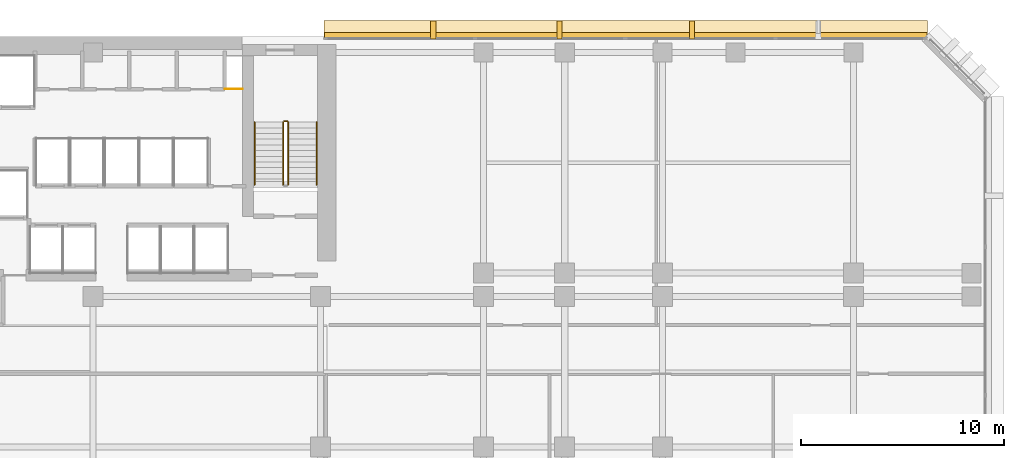
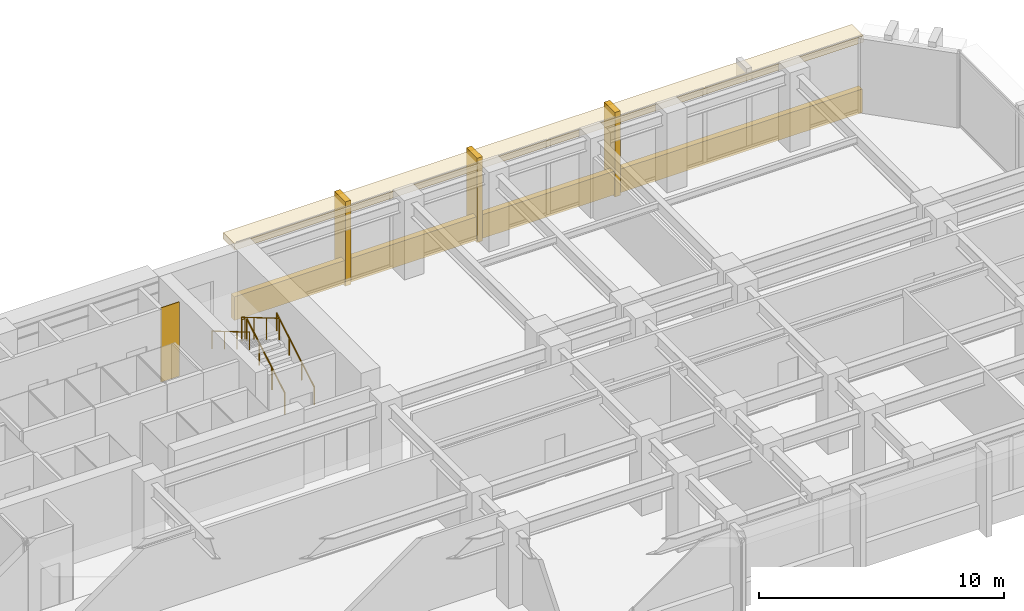
# One storey, part 13 of 14: 6 coverings, 5 railings.
"""IFC4 building model written with IfcOpenShell, lengths in metres."""

from ifc_helpers import new_model, si_unit, direction, frame, origin, origin_2d, place, context, subcontext, project, spatial, polyline, rectangle, circle, outline, extrude, material, layer, layer_set, type_object, element, save


model = new_model("IFC4")

# Units and contexts
model_context = context("Model", 3, precision=1e-05, world=origin(), true_north=direction((0.0, 1.0)))
body_context = subcontext(model_context, "Body", "Model", "MODEL_VIEW")
ifc_project = project(units=[si_unit("LENGTHUNIT", "METRE"), si_unit("AREAUNIT", "SQUARE_METRE"), si_unit("VOLUMEUNIT", "CUBIC_METRE"), si_unit("PLANEANGLEUNIT", "RADIAN"), si_unit("MASSUNIT", "GRAM", prefix="KILO")], contexts=[model_context])

# Site, building, storey
site_placement = place(None, origin())
site = spatial("IfcSite", under=ifc_project, at=site_placement, CompositionType="ELEMENT")
building_placement = place(site_placement, origin())
building = spatial("IfcBuilding", under=site, at=building_placement, Name="Kefirva Bronze Tower", CompositionType="ELEMENT")
storey_placement = place(building_placement, frame((0.0, 0.0, 34.320068359375)))
storey = spatial("IfcBuildingStorey", under=building, at=storey_placement, Name="L07", CompositionType="ELEMENT", Elevation=34.320068359375)

# Coverings
ifc_material_1 = material(Name="Bronze anodised aluminium", Category="aluminium")
ifc_layer_1 = layer(ifc_material_1, 0.02001953125, Name="Bronze anodised aluminium")
ifc_layer_set_1 = layer_set([ifc_layer_1], Name="Bronze anodised aluminium")
covering_type_1 = type_object("IfcCoveringType", Name="Anodised Bronze Spandrel Cladding 20mm", PredefinedType="CLADDING", material=ifc_layer_set_1)
covering_1_placement = place(storey_placement, frame((38.202392578125, 46.0400390625, -0.16015625), z_axis=(0.0, 0.0, 1.0), x_axis=(-1.0, 0.0, 0.0)))
element("IfcCovering", 1, at=covering_1_placement, inside=storey, type_object=covering_type_1, Name="L07 Streamline Horizontal Spandrel Band 8", PredefinedType="CLADDING", context=body_context, shape_type="SweptSolid", body=[
    extrude(rectangle(XDim=29.635009765625, YDim=0.280029296875, at=origin_2d()), origin(), (0.0, 0.0, 1.0), 1.179931640625),
])
covering_2_placement = place(storey_placement, origin())
element("IfcCovering", 2, at=covering_2_placement, inside=storey, type_object=covering_type_1, Name="L07 Core MEP Riser Shaft Liner South", PredefinedType="CLADDING", context=body_context, shape_type="SweptSolid", body=[
    extrude(outline(polyline([(18.47998046875, 43.39990234375), (19.360107421875, 43.39990234375), (19.360107421875, 43.429931640625), (18.47998046875, 43.429931640625), (18.47998046875, 43.39990234375)])), origin(), (0.0, 0.0, 1.0), 3.7099609375),
])

# Railings
ifc_material_2 = material(Name="Stainless steel 316", Category="steel")
railing_type_1 = type_object("IfcRailingType", Name="Interior Stair Guardrail 1100mm", PredefinedType="GUARDRAIL", material=ifc_material_2)
railing_1_placement = place(storey_placement, frame((21.60009765625, 38.699951171875, 0.1650390625)))
element("IfcRailing", 3, at=railing_1_placement, inside=storey, type_object=railing_type_1, Name="L07 ST-2 stair guard 1", PredefinedType="GUARDRAIL", context=body_context, shape_type="SweptSolid", body=[
    extrude(circle(Radius=0.02392578125, at=origin_2d()), frame((0.0, 0.0, 1.076171875), z_axis=(0.0, 0.861551262678, 0.507670583921), x_axis=(-1.0, 0.0, 0.0)), (0.0, 0.0, 1.0), 3.574951171875),
    extrude(circle(Radius=0.02099609375, at=origin_2d()), origin(), (0.0, 0.0, 1.0), 1.052001953125),
    extrude(circle(Radius=0.02099609375, at=origin_2d()), frame((0.0, 1.026611328125, 0.60498046875)), (0.0, 0.0, 1.0), 1.052001953125),
    extrude(circle(Radius=0.02099609375, at=origin_2d()), frame((0.0, 2.053466796875, 1.2099609375)), (0.0, 0.0, 1.0), 1.052001953125),
    extrude(circle(Radius=0.02099609375, at=origin_2d()), frame((0.0, 3.080078125, 1.81494140625)), (0.0, 0.0, 1.0), 1.052001953125),
])
railing_2_placement = place(storey_placement, frame((21.550048828125, 41.830078125, 1.97998046875)))
element("IfcRailing", 4, at=railing_2_placement, inside=storey, type_object=railing_type_1, Name="L07 ST-2 stair guard 2", PredefinedType="GUARDRAIL", context=body_context, shape_type="SweptSolid", body=[
    extrude(circle(Radius=0.02392578125, at=origin_2d()), frame((0.0, 0.0, 1.076171875), z_axis=(-1.0, 0.0, 0.0), x_axis=(0.0, -1.0, 0.0)), (0.0, 0.0, 1.0), 0.150146484375),
    extrude(circle(Radius=0.02099609375, at=origin_2d()), origin(), (0.0, 0.0, 1.0), 1.052001953125),
    extrude(circle(Radius=0.02099609375, at=origin_2d()), frame((-0.150146484375, 0.0, 0.0)), (0.0, 0.0, 1.0), 1.052001953125),
])
railing_3_placement = place(storey_placement, frame((21.35009765625, 41.780029296875, 2.14501953125)))
element("IfcRailing", 5, at=railing_3_placement, inside=storey, type_object=railing_type_1, Name="L07 ST-2 stair guard 3", PredefinedType="GUARDRAIL", context=body_context, shape_type="SweptSolid", body=[
    extrude(circle(Radius=0.02392578125, at=origin_2d()), frame((0.0, 0.0, 1.076171875), z_axis=(0.0, -0.861551262678, 0.507670583921), x_axis=(1.0, 0.0, 0.0)), (0.0, 0.0, 1.0), 3.574951171875),
    extrude(circle(Radius=0.02099609375, at=origin_2d()), origin(), (0.0, 0.0, 1.0), 1.052001953125),
    extrude(circle(Radius=0.02099609375, at=origin_2d()), frame((0.0, -1.026611328125, 0.60498046875)), (0.0, 0.0, 1.0), 1.052001953125),
    extrude(circle(Radius=0.02099609375, at=origin_2d()), frame((0.0, -2.053466796875, 1.2099609375)), (0.0, 0.0, 1.0), 1.052001953125),
    extrude(circle(Radius=0.02099609375, at=origin_2d()), frame((0.0, -3.080078125, 1.81494140625)), (0.0, 0.0, 1.0), 1.052001953125),
])
railing_type_2 = type_object("IfcRailingType", Name="Stair Pitch Handrail 900mm", PredefinedType="HANDRAIL", material=ifc_material_2)
railing_4_placement = place(storey_placement, frame((23.0, 38.699951171875, 0.1650390625)))
element("IfcRailing", 6, at=railing_4_placement, inside=storey, type_object=railing_type_2, Name="L07 ST-2 stair handrail 1", PredefinedType="HANDRAIL", context=body_context, shape_type="SweptSolid", body=[
    extrude(circle(Radius=0.02392578125, at=origin_2d()), frame((0.0, 0.0, 0.8759765625), z_axis=(0.0, 0.861551262678, 0.507670583921), x_axis=(-1.0, 0.0, 0.0)), (0.0, 0.0, 1.0), 3.574951171875),
    extrude(circle(Radius=0.02099609375, at=origin_2d()), origin(), (0.0, 0.0, 1.0), 0.851806640625),
    extrude(circle(Radius=0.02099609375, at=origin_2d()), frame((0.0, 1.026611328125, 0.60498046875)), (0.0, 0.0, 1.0), 0.851806640625),
    extrude(circle(Radius=0.02099609375, at=origin_2d()), frame((0.0, 2.053466796875, 1.2099609375)), (0.0, 0.0, 1.0), 0.851806640625),
    extrude(circle(Radius=0.02099609375, at=origin_2d()), frame((0.0, 3.080078125, 1.81494140625)), (0.0, 0.0, 1.0), 0.851806640625),
])
railing_5_placement = place(storey_placement, frame((19.949951171875, 41.780029296875, 2.14501953125)))
element("IfcRailing", 7, at=railing_5_placement, inside=storey, type_object=railing_type_2, Name="L07 ST-2 stair handrail 2", PredefinedType="HANDRAIL", context=body_context, shape_type="SweptSolid", body=[
    extrude(circle(Radius=0.02392578125, at=origin_2d()), frame((0.0, 0.0, 0.8759765625), z_axis=(0.0, -0.861551262678, 0.507670583921), x_axis=(1.0, 0.0, 0.0)), (0.0, 0.0, 1.0), 3.574951171875),
    extrude(circle(Radius=0.02099609375, at=origin_2d()), origin(), (0.0, 0.0, 1.0), 0.851806640625),
    extrude(circle(Radius=0.02099609375, at=origin_2d()), frame((0.0, -1.026611328125, 0.60498046875)), (0.0, 0.0, 1.0), 0.851806640625),
    extrude(circle(Radius=0.02099609375, at=origin_2d()), frame((0.0, -2.053466796875, 1.2099609375)), (0.0, 0.0, 1.0), 0.851806640625),
    extrude(circle(Radius=0.02099609375, at=origin_2d()), frame((0.0, -3.080078125, 1.81494140625)), (0.0, 0.0, 1.0), 0.851806640625),
])

# Coverings
ifc_layer_2 = layer(ifc_material_1, 0.179931640625, Name="Bronze anodised aluminium")
ifc_layer_set_2 = layer_set([ifc_layer_2], Name="Bronze anodised aluminium")
covering_type_2 = type_object("IfcCoveringType", Name="Streamline Bronze Sunshade Eyebrow Cladding 180mm", PredefinedType="CLADDING", material=ifc_layer_set_2)
covering_3_placement = place(storey_placement, frame((38.202392578125, 46.31005859375, 3.39013671875), z_axis=(0.0, 0.0, 1.0), x_axis=(-1.0, 0.0, 0.0)))
element("IfcCovering", 8, at=covering_3_placement, inside=storey, type_object=covering_type_2, Name="L07 Streamline Bronze Sunshade Eyebrow 8", PredefinedType="CLADDING", context=body_context, shape_type="SweptSolid", body=[
    extrude(rectangle(XDim=29.675048828125, YDim=0.93994140625, at=origin_2d()), origin(), (0.0, 0.0, 1.0), 0.320068359375),
])
ifc_layer_3 = layer(ifc_material_1, 0.260009765625, Name="Bronze anodised aluminium")
ifc_layer_set_3 = layer_set([ifc_layer_3], Name="Bronze anodised aluminium")
covering_type_3 = type_object("IfcCoveringType", Name="Unbroken Bronze Buttress Fin Cladding 260mm", PredefinedType="CLADDING", material=ifc_layer_set_3)
for number, where, z_axis, x_axis, name in (
    (9, (41.4580078125, 46.300048828125, -0.25), (0.0, 0.0, 1.0), (-1.0, 0.0, 0.0), "L07 Unbroken Vertical Bronze Rib Fin 20"),
    (10, (34.947021484375, 46.300048828125, -0.25), (0.0, 0.0, 1.0), (-1.0, 0.0, 0.0), "L07 Unbroken Vertical Bronze Rib Fin 21"),
    (11, (28.732177734375, 46.300048828125, -0.25), (0.0, 0.0, 1.0), (-1.0, 0.0, 0.0), "L07 Unbroken Vertical Bronze Rib Fin 22"),
):
    element("IfcCovering", number, at=place(storey_placement, frame(where, z_axis=z_axis, x_axis=x_axis)), inside=storey, type_object=covering_type_3, Name=name, PredefinedType="CLADDING", context=body_context, shape_type="SweptSolid", body=[
        extrude(rectangle(XDim=0.260009765625, YDim=0.8798828125, at=origin_2d()), origin(), (0.0, 0.0, 1.0), 4.2099609375),
    ])

save(model, "model.ifc")
